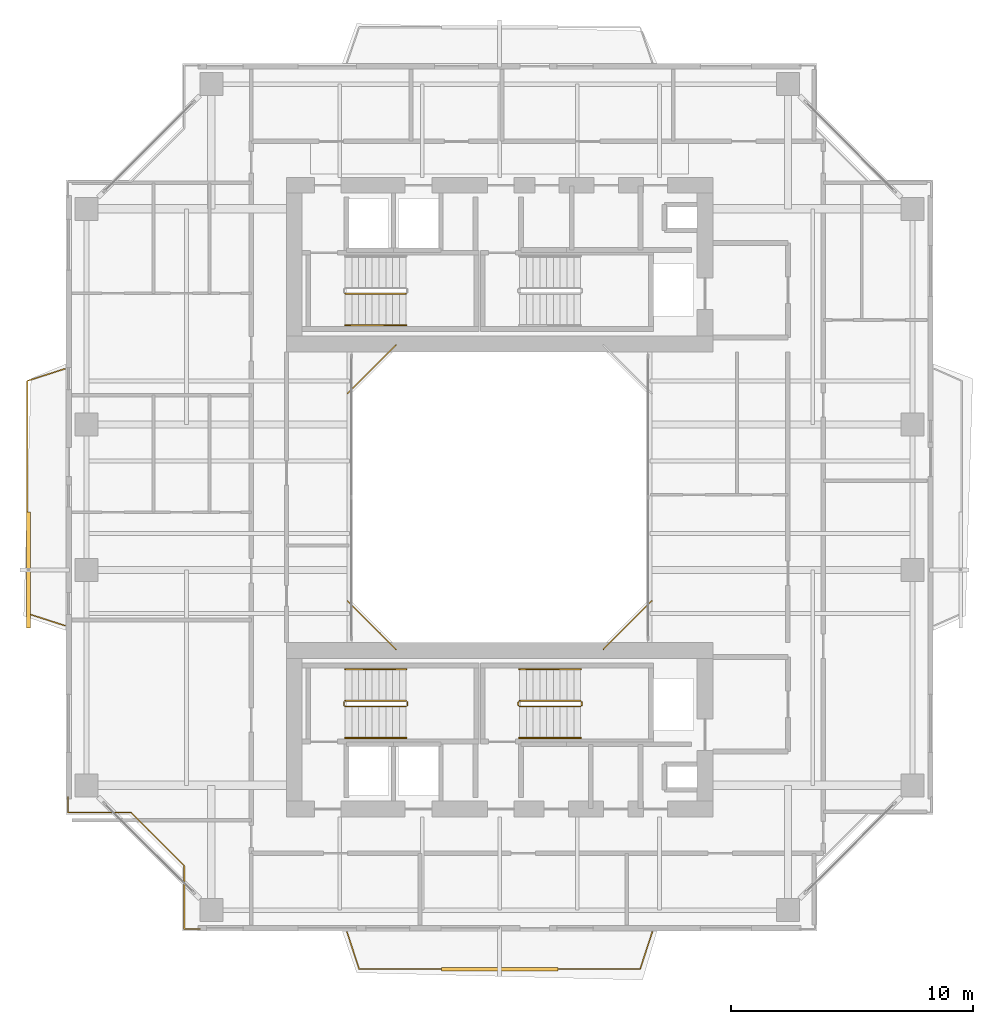
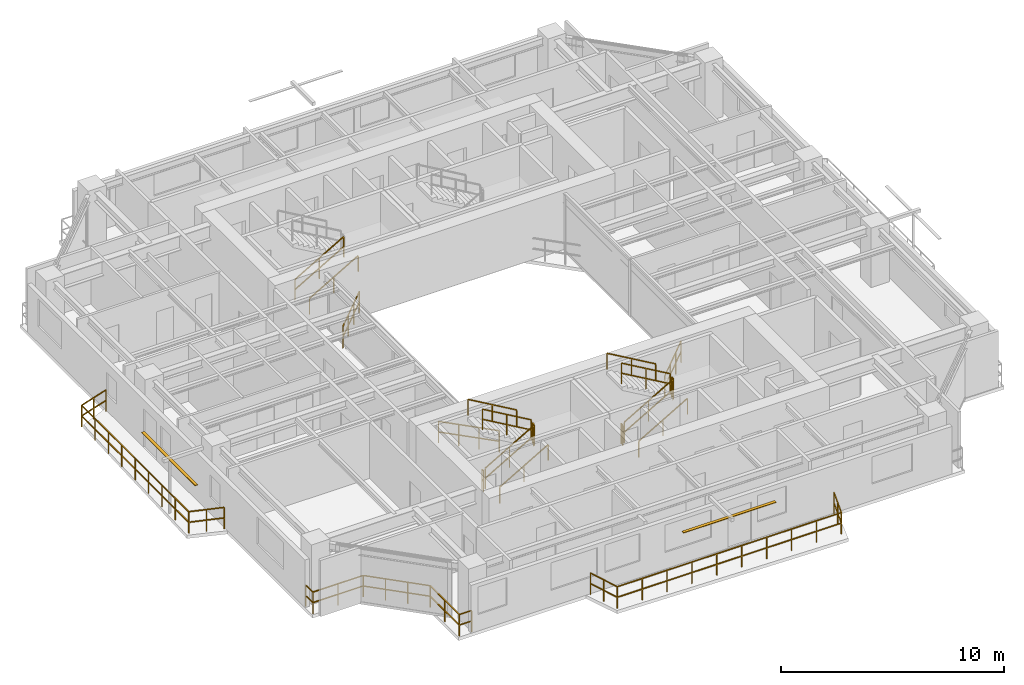
# One storey, part 15 of 17: 20 railings, 2 shading devices.
"""IFC4 building model written with IfcOpenShell, lengths in metres."""

from ifc_helpers import new_model, si_unit, direction, frame, origin, origin_2d, place, context, subcontext, project, spatial, rectangle, extrude, source, transform, mapped, material, material_profile, profile_set, type_object, element, save


model = new_model("IFC4")

# Units and contexts
model_context = context("Model", 3, precision=1e-05, world=origin(), true_north=direction((0.0, 1.0)))
body_context = subcontext(model_context, "Body", "Model", "MODEL_VIEW")
ifc_project = project(units=[si_unit("LENGTHUNIT", "METRE"), si_unit("AREAUNIT", "SQUARE_METRE"), si_unit("VOLUMEUNIT", "CUBIC_METRE"), si_unit("PLANEANGLEUNIT", "RADIAN"), si_unit("MASSUNIT", "GRAM", prefix="KILO"), si_unit("THERMODYNAMICTEMPERATUREUNIT", "KELVIN"), si_unit("POWERUNIT", "WATT")], contexts=[model_context])

# Site, building, storey
site_placement = place(None, origin())
site = spatial("IfcSite", under=ifc_project, at=site_placement, CompositionType="ELEMENT")
building_placement = place(site_placement, origin())
building = spatial("IfcBuilding", under=site, at=building_placement, Name="Qiaomeng Ring Towers", CompositionType="ELEMENT")
storey_placement = place(building_placement, frame((0.0, 0.0, 150.25)))
storey = spatial("IfcBuildingStorey", under=building, at=storey_placement, Name="L43", CompositionType="ELEMENT", Elevation=150.25)

# Railings
ifc_material_1 = material(Name="Low-E pale-green laminated safety glass", Category="glass")
railing_type_1 = type_object("IfcRailingType", Name="ARC-RL-BAL1", PredefinedType="BALUSTRADE", material=ifc_material_1)
railing_1_placement = place(storey_placement, frame((23.280029296875, 16.719970703125, 0.0)))
element("IfcRailing", 1, at=railing_1_placement, inside=storey, type_object=railing_type_1, Name="L43 Balustrade ARC-BAL-WELL1-L43-1", PredefinedType="BALUSTRADE", context=body_context, shape_type="SweptSolid", body=[
    extrude(rectangle(XDim=0.048095703125, YDim=0.048095703125, at=origin_2d()), frame((0.0, 0.0, 1.17578125), z_axis=(0.707106781187, 0.707106781187, 0.0), x_axis=(-0.707106781187, 0.707106781187, 0.0)), (0.0, 0.0, 1.0), 2.828369140625),
    extrude(rectangle(XDim=0.048095703125, YDim=0.048095703125, at=origin_2d()), frame((0.0, 0.0, 0.60009765625), z_axis=(0.707106781187, 0.707106781187, 0.0), x_axis=(-0.707106781187, 0.707106781187, 0.0)), (0.0, 0.0, 1.0), 2.828369140625),
    extrude(rectangle(XDim=0.0419921875, YDim=0.0419921875, at=origin_2d()), origin(), (0.0, 0.0, 1.0), 1.15185546875),
    extrude(rectangle(XDim=0.0419921875, YDim=0.0419921875, at=origin_2d()), frame((0.666748046875, 0.666748046875, 0.0)), (0.0, 0.0, 1.0), 1.15185546875),
    extrude(rectangle(XDim=0.0419921875, YDim=0.0419921875, at=origin_2d()), frame((1.333251953125, 1.333251953125, 0.0)), (0.0, 0.0, 1.0), 1.15185546875),
    extrude(rectangle(XDim=0.0419921875, YDim=0.0419921875, at=origin_2d()), frame((2.0, 2.0, 0.0)), (0.0, 0.0, 1.0), 1.15185546875),
])
railing_2_placement = place(storey_placement, frame((14.719970703125, 29.280029296875, 0.0)))
element("IfcRailing", 2, at=railing_2_placement, inside=storey, type_object=railing_type_1, Name="L43 Balustrade ARC-BAL-WELL1-L43-3", PredefinedType="BALUSTRADE", context=body_context, shape_type="SweptSolid", body=[
    extrude(rectangle(XDim=0.048095703125, YDim=0.048095703125, at=origin_2d()), frame((0.0, 0.0, 1.17578125), z_axis=(-0.707106781187, -0.707106781187, 0.0), x_axis=(0.707106781187, -0.707106781187, 0.0)), (0.0, 0.0, 1.0), 2.828369140625),
    extrude(rectangle(XDim=0.048095703125, YDim=0.048095703125, at=origin_2d()), frame((0.0, 0.0, 0.60009765625), z_axis=(-0.707106781187, -0.707106781187, 0.0), x_axis=(0.707106781187, -0.707106781187, 0.0)), (0.0, 0.0, 1.0), 2.828369140625),
    extrude(rectangle(XDim=0.0419921875, YDim=0.0419921875, at=origin_2d()), origin(), (0.0, 0.0, 1.0), 1.15185546875),
    extrude(rectangle(XDim=0.0419921875, YDim=0.0419921875, at=origin_2d()), frame((-0.666748046875, -0.666748046875, 0.0)), (0.0, 0.0, 1.0), 1.15185546875),
    extrude(rectangle(XDim=0.0419921875, YDim=0.0419921875, at=origin_2d()), frame((-1.333251953125, -1.333251953125, 0.0)), (0.0, 0.0, 1.0), 1.15185546875),
    extrude(rectangle(XDim=0.0419921875, YDim=0.0419921875, at=origin_2d()), frame((-2.0, -2.0, 0.0)), (0.0, 0.0, 1.0), 1.15185546875),
])
railing_3_placement = place(storey_placement, frame((12.719970703125, 18.719970703125, 0.0)))
element("IfcRailing", 3, at=railing_3_placement, inside=storey, type_object=railing_type_1, Name="L43 Balustrade ARC-BAL-WELL1-L43-4", PredefinedType="BALUSTRADE", context=body_context, shape_type="SweptSolid", body=[
    extrude(rectangle(XDim=0.048095703125, YDim=0.048095703125, at=origin_2d()), frame((0.0, 0.0, 1.17578125), z_axis=(0.707106781187, -0.707106781187, 0.0), x_axis=(0.707106781187, 0.707106781187, 0.0)), (0.0, 0.0, 1.0), 2.828369140625),
    extrude(rectangle(XDim=0.048095703125, YDim=0.048095703125, at=origin_2d()), frame((0.0, 0.0, 0.60009765625), z_axis=(0.707106781187, -0.707106781187, 0.0), x_axis=(0.707106781187, 0.707106781187, 0.0)), (0.0, 0.0, 1.0), 2.828369140625),
    extrude(rectangle(XDim=0.0419921875, YDim=0.0419921875, at=origin_2d()), origin(), (0.0, 0.0, 1.0), 1.15185546875),
    extrude(rectangle(XDim=0.0419921875, YDim=0.0419921875, at=origin_2d()), frame((0.666748046875, -0.666748046875, 0.0)), (0.0, 0.0, 1.0), 1.15185546875),
    extrude(rectangle(XDim=0.0419921875, YDim=0.0419921875, at=origin_2d()), frame((1.333251953125, -1.333251953125, 0.0)), (0.0, 0.0, 1.0), 1.15185546875),
    extrude(rectangle(XDim=0.0419921875, YDim=0.0419921875, at=origin_2d()), frame((2.0, -2.0, 0.0)), (0.0, 0.0, 1.0), 1.15185546875),
])
railing_4_placement = place(storey_placement, frame((1.179931640625, 10.6298828125, 0.0)))
element("IfcRailing", 4, at=railing_4_placement, inside=storey, type_object=railing_type_1, Name="L43 Balustrade ARC-BAL-NOTCH1-L43-SW", PredefinedType="BALUSTRADE", context=body_context, shape_type="SweptSolid", body=[
    extrude(rectangle(XDim=0.048095703125, YDim=0.048095703125, at=origin_2d()), frame((0.0, 0.0, 1.17578125), z_axis=(0.0, -1.0, 0.0), x_axis=(1.0, 0.0, 0.0)), (0.0, 0.0, 1.0), 0.64990234375),
    extrude(rectangle(XDim=0.048095703125, YDim=0.048095703125, at=origin_2d()), frame((0.0, 0.0, 0.60009765625), z_axis=(0.0, -1.0, 0.0), x_axis=(1.0, 0.0, 0.0)), (0.0, 0.0, 1.0), 0.64990234375),
    extrude(rectangle(XDim=0.048095703125, YDim=0.048095703125, at=origin_2d()), frame((0.0, -0.64990234375, 1.17578125), z_axis=(1.0, 0.0, 0.0), x_axis=(0.0, 1.0, 0.0)), (0.0, 0.0, 1.0), 2.60009765625),
    extrude(rectangle(XDim=0.048095703125, YDim=0.048095703125, at=origin_2d()), frame((0.0, -0.64990234375, 0.60009765625), z_axis=(1.0, 0.0, 0.0), x_axis=(0.0, 1.0, 0.0)), (0.0, 0.0, 1.0), 2.60009765625),
    extrude(rectangle(XDim=0.048095703125, YDim=0.048095703125, at=origin_2d()), frame((2.60009765625, -0.64990234375, 1.17578125), z_axis=(0.707106781187, -0.707106781187, 0.0), x_axis=(0.707106781187, 0.707106781187, 0.0)), (0.0, 0.0, 1.0), 3.111083984375),
    extrude(rectangle(XDim=0.048095703125, YDim=0.048095703125, at=origin_2d()), frame((2.60009765625, -0.64990234375, 0.60009765625), z_axis=(0.707106781187, -0.707106781187, 0.0), x_axis=(0.707106781187, 0.707106781187, 0.0)), (0.0, 0.0, 1.0), 3.111083984375),
    extrude(rectangle(XDim=0.048095703125, YDim=0.048095703125, at=origin_2d()), frame((4.800048828125, -2.849853515625, 1.17578125), z_axis=(0.0, -1.0, 0.0), x_axis=(1.0, 0.0, 0.0)), (0.0, 0.0, 1.0), 2.60009765625),
    extrude(rectangle(XDim=0.048095703125, YDim=0.048095703125, at=origin_2d()), frame((4.800048828125, -2.849853515625, 0.60009765625), z_axis=(0.0, -1.0, 0.0), x_axis=(1.0, 0.0, 0.0)), (0.0, 0.0, 1.0), 2.60009765625),
    extrude(rectangle(XDim=0.048095703125, YDim=0.048095703125, at=origin_2d()), frame((4.800048828125, -5.449951171875, 1.17578125), z_axis=(1.0, 0.0, 0.0), x_axis=(0.0, 1.0, 0.0)), (0.0, 0.0, 1.0), 0.64990234375),
    extrude(rectangle(XDim=0.048095703125, YDim=0.048095703125, at=origin_2d()), frame((4.800048828125, -5.449951171875, 0.60009765625), z_axis=(1.0, 0.0, 0.0), x_axis=(0.0, 1.0, 0.0)), (0.0, 0.0, 1.0), 0.64990234375),
    extrude(rectangle(XDim=0.0419921875, YDim=0.0419921875, at=origin_2d()), origin(), (0.0, 0.0, 1.0), 1.15185546875),
    extrude(rectangle(XDim=0.0419921875, YDim=0.0419921875, at=origin_2d()), frame((0.0, -0.64990234375, 0.0)), (0.0, 0.0, 1.0), 1.15185546875),
    extrude(rectangle(XDim=0.0419921875, YDim=0.0419921875, at=origin_2d()), frame((1.300048828125, -0.64990234375, 0.0)), (0.0, 0.0, 1.0), 1.15185546875),
    extrude(rectangle(XDim=0.0419921875, YDim=0.0419921875, at=origin_2d()), frame((2.60009765625, -0.64990234375, 0.0)), (0.0, 0.0, 1.0), 1.15185546875),
    extrude(rectangle(XDim=0.0419921875, YDim=0.0419921875, at=origin_2d()), frame((3.33349609375, -1.38330078125, 0.0)), (0.0, 0.0, 1.0), 1.15185546875),
    extrude(rectangle(XDim=0.0419921875, YDim=0.0419921875, at=origin_2d()), frame((4.066650390625, -2.116455078125, 0.0)), (0.0, 0.0, 1.0), 1.15185546875),
    extrude(rectangle(XDim=0.0419921875, YDim=0.0419921875, at=origin_2d()), frame((4.800048828125, -2.849853515625, 0.0)), (0.0, 0.0, 1.0), 1.15185546875),
    extrude(rectangle(XDim=0.0419921875, YDim=0.0419921875, at=origin_2d()), frame((4.800048828125, -4.14990234375, 0.0)), (0.0, 0.0, 1.0), 1.15185546875),
    extrude(rectangle(XDim=0.0419921875, YDim=0.0419921875, at=origin_2d()), frame((4.800048828125, -5.449951171875, 0.0)), (0.0, 0.0, 1.0), 1.15185546875),
    extrude(rectangle(XDim=0.0419921875, YDim=0.0419921875, at=origin_2d()), frame((5.449951171875, -5.449951171875, 0.0)), (0.0, 0.0, 1.0), 1.15185546875),
])
railing_5_placement = place(storey_placement, frame((12.699951171875, 5.050048828125, 0.0)))
element("IfcRailing", 5, at=railing_5_placement, inside=storey, type_object=railing_type_1, Name="L43 Balustrade ARC-BAL-L43-T1-S", PredefinedType="BALUSTRADE", context=body_context, shape_type="SweptSolid", body=[
    extrude(rectangle(XDim=0.048095703125, YDim=0.048095703125, at=origin_2d()), frame((0.0, 0.0, 1.17578125), z_axis=(0.310625543041, -0.950532362421, 0.0), x_axis=(0.950532362421, 0.310625543041, 0.0)), (0.0, 0.0, 1.0), 1.609619140625),
    extrude(rectangle(XDim=0.048095703125, YDim=0.048095703125, at=origin_2d()), frame((0.0, 0.0, 0.60009765625), z_axis=(0.310625543041, -0.950532362421, 0.0), x_axis=(0.950532362421, 0.310625543041, 0.0)), (0.0, 0.0, 1.0), 1.609619140625),
    extrude(rectangle(XDim=0.048095703125, YDim=0.048095703125, at=origin_2d()), frame((0.5, -1.530029296875, 1.17578125), z_axis=(1.0, 0.0, 0.0), x_axis=(0.0, 1.0, 0.0)), (0.0, 0.0, 1.0), 11.60009765625),
    extrude(rectangle(XDim=0.048095703125, YDim=0.048095703125, at=origin_2d()), frame((0.5, -1.530029296875, 0.60009765625), z_axis=(1.0, 0.0, 0.0), x_axis=(0.0, 1.0, 0.0)), (0.0, 0.0, 1.0), 11.60009765625),
    extrude(rectangle(XDim=0.048095703125, YDim=0.048095703125, at=origin_2d()), frame((12.10009765625, -1.530029296875, 1.17578125), z_axis=(0.310625543041, 0.950532362421, 0.0), x_axis=(-0.950532362421, 0.310625543041, 0.0)), (0.0, 0.0, 1.0), 1.609619140625),
    extrude(rectangle(XDim=0.048095703125, YDim=0.048095703125, at=origin_2d()), frame((12.10009765625, -1.530029296875, 0.60009765625), z_axis=(0.310625543041, 0.950532362421, 0.0), x_axis=(-0.950532362421, 0.310625543041, 0.0)), (0.0, 0.0, 1.0), 1.609619140625),
    extrude(rectangle(XDim=0.0419921875, YDim=0.0419921875, at=origin_2d()), origin(), (0.0, 0.0, 1.0), 1.15185546875),
    extrude(rectangle(XDim=0.0419921875, YDim=0.0419921875, at=origin_2d()), frame((0.25, -0.76513671875, 0.0)), (0.0, 0.0, 1.0), 1.15185546875),
    extrude(rectangle(XDim=0.0419921875, YDim=0.0419921875, at=origin_2d()), frame((0.5, -1.530029296875, 0.0)), (0.0, 0.0, 1.0), 1.15185546875),
    extrude(rectangle(XDim=0.0419921875, YDim=0.0419921875, at=origin_2d()), frame((1.788818359375, -1.530029296875, 0.0)), (0.0, 0.0, 1.0), 1.15185546875),
    extrude(rectangle(XDim=0.0419921875, YDim=0.0419921875, at=origin_2d()), frame((3.077880859375, -1.530029296875, 0.0)), (0.0, 0.0, 1.0), 1.15185546875),
    extrude(rectangle(XDim=0.0419921875, YDim=0.0419921875, at=origin_2d()), frame((4.36669921875, -1.530029296875, 0.0)), (0.0, 0.0, 1.0), 1.15185546875),
    extrude(rectangle(XDim=0.0419921875, YDim=0.0419921875, at=origin_2d()), frame((5.655517578125, -1.530029296875, 0.0)), (0.0, 0.0, 1.0), 1.15185546875),
    extrude(rectangle(XDim=0.0419921875, YDim=0.0419921875, at=origin_2d()), frame((6.944580078125, -1.530029296875, 0.0)), (0.0, 0.0, 1.0), 1.15185546875),
    extrude(rectangle(XDim=0.0419921875, YDim=0.0419921875, at=origin_2d()), frame((8.2333984375, -1.530029296875, 0.0)), (0.0, 0.0, 1.0), 1.15185546875),
    extrude(rectangle(XDim=0.0419921875, YDim=0.0419921875, at=origin_2d()), frame((9.522216796875, -1.530029296875, 0.0)), (0.0, 0.0, 1.0), 1.15185546875),
    extrude(rectangle(XDim=0.0419921875, YDim=0.0419921875, at=origin_2d()), frame((10.811279296875, -1.530029296875, 0.0)), (0.0, 0.0, 1.0), 1.15185546875),
    extrude(rectangle(XDim=0.0419921875, YDim=0.0419921875, at=origin_2d()), frame((12.10009765625, -1.530029296875, 0.0)), (0.0, 0.0, 1.0), 1.15185546875),
    extrude(rectangle(XDim=0.0419921875, YDim=0.0419921875, at=origin_2d()), frame((12.35009765625, -0.76513671875, 0.0)), (0.0, 0.0, 1.0), 1.15185546875),
    extrude(rectangle(XDim=0.0419921875, YDim=0.0419921875, at=origin_2d()), frame((12.60009765625, 0.0, 0.0)), (0.0, 0.0, 1.0), 1.15185546875),
])
railing_6_placement = place(storey_placement, frame((1.050048828125, 17.699951171875, 0.0)))
element("IfcRailing", 6, at=railing_6_placement, inside=storey, type_object=railing_type_1, Name="L43 Balustrade ARC-BAL-L43-T1-W", PredefinedType="BALUSTRADE", context=body_context, shape_type="SweptSolid", body=[
    extrude(rectangle(XDim=0.048095703125, YDim=0.048095703125, at=origin_2d()), frame((0.0, 0.0, 1.17578125), z_axis=(-0.951711443346, 0.306994020471, 0.0), x_axis=(-0.306994020471, -0.951711443346, 0.0)), (0.0, 0.0, 1.0), 1.628662109375),
    extrude(rectangle(XDim=0.048095703125, YDim=0.048095703125, at=origin_2d()), frame((0.0, 0.0, 0.60009765625), z_axis=(-0.951711443346, 0.306994020471, 0.0), x_axis=(-0.306994020471, -0.951711443346, 0.0)), (0.0, 0.0, 1.0), 1.628662109375),
    extrude(rectangle(XDim=0.048095703125, YDim=0.048095703125, at=origin_2d()), frame((-1.550048828125, 0.5, 1.17578125), z_axis=(0.0, 1.0, 0.0), x_axis=(-1.0, 0.0, 0.0)), (0.0, 0.0, 1.0), 9.60009765625),
    extrude(rectangle(XDim=0.048095703125, YDim=0.048095703125, at=origin_2d()), frame((-1.550048828125, 0.5, 0.60009765625), z_axis=(0.0, 1.0, 0.0), x_axis=(-1.0, 0.0, 0.0)), (0.0, 0.0, 1.0), 9.60009765625),
    extrude(rectangle(XDim=0.048095703125, YDim=0.048095703125, at=origin_2d()), frame((-1.550048828125, 10.10009765625, 1.17578125), z_axis=(0.951711443346, 0.306994020471, 0.0), x_axis=(-0.306994020471, 0.951711443346, 0.0)), (0.0, 0.0, 1.0), 1.628662109375),
    extrude(rectangle(XDim=0.048095703125, YDim=0.048095703125, at=origin_2d()), frame((-1.550048828125, 10.10009765625, 0.60009765625), z_axis=(0.951711443346, 0.306994020471, 0.0), x_axis=(-0.306994020471, 0.951711443346, 0.0)), (0.0, 0.0, 1.0), 1.628662109375),
    extrude(rectangle(XDim=0.0419921875, YDim=0.0419921875, at=origin_2d()), origin(), (0.0, 0.0, 1.0), 1.15185546875),
    extrude(rectangle(XDim=0.0419921875, YDim=0.0419921875, at=origin_2d()), frame((-0.77490234375, 0.25, 0.0)), (0.0, 0.0, 1.0), 1.15185546875),
    extrude(rectangle(XDim=0.0419921875, YDim=0.0419921875, at=origin_2d()), frame((-1.550048828125, 0.5, 0.0)), (0.0, 0.0, 1.0), 1.15185546875),
    extrude(rectangle(XDim=0.0419921875, YDim=0.0419921875, at=origin_2d()), frame((-1.550048828125, 1.699951171875, 0.0)), (0.0, 0.0, 1.0), 1.15185546875),
    extrude(rectangle(XDim=0.0419921875, YDim=0.0419921875, at=origin_2d()), frame((-1.550048828125, 2.89990234375, 0.0)), (0.0, 0.0, 1.0), 1.15185546875),
    extrude(rectangle(XDim=0.0419921875, YDim=0.0419921875, at=origin_2d()), frame((-1.550048828125, 4.10009765625, 0.0)), (0.0, 0.0, 1.0), 1.15185546875),
    extrude(rectangle(XDim=0.0419921875, YDim=0.0419921875, at=origin_2d()), frame((-1.550048828125, 5.300048828125, 0.0)), (0.0, 0.0, 1.0), 1.15185546875),
    extrude(rectangle(XDim=0.0419921875, YDim=0.0419921875, at=origin_2d()), frame((-1.550048828125, 6.5, 0.0)), (0.0, 0.0, 1.0), 1.15185546875),
    extrude(rectangle(XDim=0.0419921875, YDim=0.0419921875, at=origin_2d()), frame((-1.550048828125, 7.7001953125, 0.0)), (0.0, 0.0, 1.0), 1.15185546875),
    extrude(rectangle(XDim=0.0419921875, YDim=0.0419921875, at=origin_2d()), frame((-1.550048828125, 8.900146484375, 0.0)), (0.0, 0.0, 1.0), 1.15185546875),
    extrude(rectangle(XDim=0.0419921875, YDim=0.0419921875, at=origin_2d()), frame((-1.550048828125, 10.10009765625, 0.0)), (0.0, 0.0, 1.0), 1.15185546875),
    extrude(rectangle(XDim=0.0419921875, YDim=0.0419921875, at=origin_2d()), frame((-0.77490234375, 10.35009765625, 0.0)), (0.0, 0.0, 1.0), 1.15185546875),
    extrude(rectangle(XDim=0.0419921875, YDim=0.0419921875, at=origin_2d()), frame((0.0, 10.60009765625, 0.0)), (0.0, 0.0, 1.0), 1.15185546875),
])
ifc_material_2 = material(Name="Galvanised steel", Category="steel")
railing_type_2 = type_object("IfcRailingType", Name="ARC-RL-GUARD", PredefinedType="GUARDRAIL", material=ifc_material_2)
for number, where, name in (
    (7, (12.6201171875, 31.39990234375, 0.16259765625), "L43 ST1 stair guard 1"),
    (8, (12.6201171875, 14.360107421875, 0.16259765625), "L43 ST3 stair guard 1"),
):
    element("IfcRailing", number, at=place(storey_placement, frame(where)), inside=storey, type_object=railing_type_2, Name=name, PredefinedType="GUARDRAIL", context=body_context, shape_type="SweptSolid", body=[
        extrude(rectangle(XDim=0.048095703125, YDim=0.048095703125, at=origin_2d()), frame((0.0, 0.0, 1.1259765625), z_axis=(0.864892226395, 0.0, 0.501957604506), x_axis=(0.0, 1.0, 0.0)), (0.0, 0.0, 1.0), 2.913330078125),
        extrude(rectangle(XDim=0.048095703125, YDim=0.048095703125, at=origin_2d()), frame((0.0, 0.0, 0.574951171875), z_axis=(0.864892226395, 0.0, 0.501957604506), x_axis=(0.0, 1.0, 0.0)), (0.0, 0.0, 1.0), 2.913330078125),
        extrude(rectangle(XDim=0.0419921875, YDim=0.0419921875, at=origin_2d()), origin(), (0.0, 0.0, 1.0), 1.101806640625),
        extrude(rectangle(XDim=0.0419921875, YDim=0.0419921875, at=origin_2d()), frame((1.259765625, 0.0, 0.731201171875)), (0.0, 0.0, 1.0), 1.101806640625),
        extrude(rectangle(XDim=0.0419921875, YDim=0.0419921875, at=origin_2d()), frame((2.519775390625, 0.0, 1.46240234375)), (0.0, 0.0, 1.0), 1.101806640625),
    ])
railing_7_placement = place(storey_placement, frame((15.18994140625, 14.409912109375, 1.625)))
element("IfcRailing", 9, at=railing_7_placement, inside=storey, type_object=railing_type_2, Name="L43 ST3 stair guard 2", PredefinedType="GUARDRAIL", context=body_context, shape_type="SweptSolid", body=[
    extrude(rectangle(XDim=0.048095703125, YDim=0.048095703125, at=origin_2d()), frame((0.0, 0.0, 1.1259765625), z_axis=(0.0, 1.0, 0.0), x_axis=(-1.0, 0.0, 0.0)), (0.0, 0.0, 1.0), 0.14013671875),
    extrude(rectangle(XDim=0.048095703125, YDim=0.048095703125, at=origin_2d()), frame((0.0, 0.0, 0.574951171875), z_axis=(0.0, 1.0, 0.0), x_axis=(-1.0, 0.0, 0.0)), (0.0, 0.0, 1.0), 0.14013671875),
    extrude(rectangle(XDim=0.0419921875, YDim=0.0419921875, at=origin_2d()), origin(), (0.0, 0.0, 1.0), 1.101806640625),
    extrude(rectangle(XDim=0.0419921875, YDim=0.0419921875, at=origin_2d()), frame((0.0, 0.14013671875, 0.0)), (0.0, 0.0, 1.0), 1.101806640625),
])
railing_8_placement = place(storey_placement, frame((15.139892578125, 14.60009765625, 1.78759765625)))
element("IfcRailing", 10, at=railing_8_placement, inside=storey, type_object=railing_type_2, Name="L43 ST3 stair guard 3", PredefinedType="GUARDRAIL", context=body_context, shape_type="SweptSolid", body=[
    extrude(rectangle(XDim=0.048095703125, YDim=0.048095703125, at=origin_2d()), frame((0.0, 0.0, 1.1259765625), z_axis=(-0.864892226395, 0.0, 0.501957604506), x_axis=(0.0, -1.0, 0.0)), (0.0, 0.0, 1.0), 2.913330078125),
    extrude(rectangle(XDim=0.048095703125, YDim=0.048095703125, at=origin_2d()), frame((0.0, 0.0, 0.574951171875), z_axis=(-0.864892226395, 0.0, 0.501957604506), x_axis=(0.0, -1.0, 0.0)), (0.0, 0.0, 1.0), 2.913330078125),
    extrude(rectangle(XDim=0.0419921875, YDim=0.0419921875, at=origin_2d()), origin(), (0.0, 0.0, 1.0), 1.101806640625),
    extrude(rectangle(XDim=0.0419921875, YDim=0.0419921875, at=origin_2d()), frame((-1.259765625, 0.0, 0.731201171875)), (0.0, 0.0, 1.0), 1.101806640625),
    extrude(rectangle(XDim=0.0419921875, YDim=0.0419921875, at=origin_2d()), frame((-2.519775390625, 0.0, 1.46240234375)), (0.0, 0.0, 1.0), 1.101806640625),
])
railing_9_placement = place(storey_placement, frame((12.570068359375, 14.409912109375, 0.0)))
element("IfcRailing", 11, at=railing_9_placement, inside=storey, type_object=railing_type_2, Name="L43 ST3 stair guard 4", PredefinedType="GUARDRAIL", context=body_context, shape_type="SweptSolid", body=[
    extrude(rectangle(XDim=0.048095703125, YDim=0.048095703125, at=origin_2d()), frame((0.0, 0.0, 1.1259765625), z_axis=(0.0, 1.0, 0.0), x_axis=(-1.0, 0.0, 0.0)), (0.0, 0.0, 1.0), 0.14013671875),
    extrude(rectangle(XDim=0.048095703125, YDim=0.048095703125, at=origin_2d()), frame((0.0, 0.0, 0.574951171875), z_axis=(0.0, 1.0, 0.0), x_axis=(-1.0, 0.0, 0.0)), (0.0, 0.0, 1.0), 0.14013671875),
    extrude(rectangle(XDim=0.0419921875, YDim=0.0419921875, at=origin_2d()), origin(), (0.0, 0.0, 1.0), 1.101806640625),
    extrude(rectangle(XDim=0.0419921875, YDim=0.0419921875, at=origin_2d()), frame((0.0, 0.14013671875, 0.0)), (0.0, 0.0, 1.0), 1.101806640625),
])
railing_10_placement = place(storey_placement, frame((19.820068359375, 14.360107421875, 0.16259765625)))
element("IfcRailing", 12, at=railing_10_placement, inside=storey, type_object=railing_type_2, Name="L43 ST4 stair guard 1", PredefinedType="GUARDRAIL", context=body_context, shape_type="SweptSolid", body=[
    extrude(rectangle(XDim=0.048095703125, YDim=0.048095703125, at=origin_2d()), frame((0.0, 0.0, 1.1259765625), z_axis=(0.864913338283, 0.0, 0.50192122615), x_axis=(0.0, 1.0, 0.0)), (0.0, 0.0, 1.0), 2.91357421875),
    extrude(rectangle(XDim=0.048095703125, YDim=0.048095703125, at=origin_2d()), frame((0.0, 0.0, 0.574951171875), z_axis=(0.864913338283, 0.0, 0.50192122615), x_axis=(0.0, 1.0, 0.0)), (0.0, 0.0, 1.0), 2.91357421875),
    extrude(rectangle(XDim=0.0419921875, YDim=0.0419921875, at=origin_2d()), origin(), (0.0, 0.0, 1.0), 1.101806640625),
    extrude(rectangle(XDim=0.0419921875, YDim=0.0419921875, at=origin_2d()), frame((1.260009765625, 0.0, 0.731201171875)), (0.0, 0.0, 1.0), 1.101806640625),
    extrude(rectangle(XDim=0.0419921875, YDim=0.0419921875, at=origin_2d()), frame((2.52001953125, 0.0, 1.46240234375)), (0.0, 0.0, 1.0), 1.101806640625),
])
railing_11_placement = place(storey_placement, frame((22.389892578125, 14.409912109375, 1.625)))
element("IfcRailing", 13, at=railing_11_placement, inside=storey, type_object=railing_type_2, Name="L43 ST4 stair guard 2", PredefinedType="GUARDRAIL", context=body_context, shape_type="SweptSolid", body=[
    extrude(rectangle(XDim=0.048095703125, YDim=0.048095703125, at=origin_2d()), frame((0.0, 0.0, 1.1259765625), z_axis=(0.0, 1.0, 0.0), x_axis=(-1.0, 0.0, 0.0)), (0.0, 0.0, 1.0), 0.14013671875),
    extrude(rectangle(XDim=0.048095703125, YDim=0.048095703125, at=origin_2d()), frame((0.0, 0.0, 0.574951171875), z_axis=(0.0, 1.0, 0.0), x_axis=(-1.0, 0.0, 0.0)), (0.0, 0.0, 1.0), 0.14013671875),
    extrude(rectangle(XDim=0.0419921875, YDim=0.0419921875, at=origin_2d()), origin(), (0.0, 0.0, 1.0), 1.101806640625),
    extrude(rectangle(XDim=0.0419921875, YDim=0.0419921875, at=origin_2d()), frame((0.0, 0.14013671875, 0.0)), (0.0, 0.0, 1.0), 1.101806640625),
])
railing_12_placement = place(storey_placement, frame((22.340087890625, 14.60009765625, 1.78759765625)))
element("IfcRailing", 14, at=railing_12_placement, inside=storey, type_object=railing_type_2, Name="L43 ST4 stair guard 3", PredefinedType="GUARDRAIL", context=body_context, shape_type="SweptSolid", body=[
    extrude(rectangle(XDim=0.048095703125, YDim=0.048095703125, at=origin_2d()), frame((0.0, 0.0, 1.1259765625), z_axis=(-0.864913338283, 0.0, 0.50192122615), x_axis=(0.0, -1.0, 0.0)), (0.0, 0.0, 1.0), 2.91357421875),
    extrude(rectangle(XDim=0.048095703125, YDim=0.048095703125, at=origin_2d()), frame((0.0, 0.0, 0.574951171875), z_axis=(-0.864913338283, 0.0, 0.50192122615), x_axis=(0.0, -1.0, 0.0)), (0.0, 0.0, 1.0), 2.91357421875),
    extrude(rectangle(XDim=0.0419921875, YDim=0.0419921875, at=origin_2d()), origin(), (0.0, 0.0, 1.0), 1.101806640625),
    extrude(rectangle(XDim=0.0419921875, YDim=0.0419921875, at=origin_2d()), frame((-1.260009765625, 0.0, 0.731201171875)), (0.0, 0.0, 1.0), 1.101806640625),
    extrude(rectangle(XDim=0.0419921875, YDim=0.0419921875, at=origin_2d()), frame((-2.52001953125, 0.0, 1.46240234375)), (0.0, 0.0, 1.0), 1.101806640625),
])
railing_13_placement = place(storey_placement, frame((19.77001953125, 14.409912109375, 0.0)))
element("IfcRailing", 15, at=railing_13_placement, inside=storey, type_object=railing_type_2, Name="L43 ST4 stair guard 4", PredefinedType="GUARDRAIL", context=body_context, shape_type="SweptSolid", body=[
    extrude(rectangle(XDim=0.048095703125, YDim=0.048095703125, at=origin_2d()), frame((0.0, 0.0, 1.1259765625), z_axis=(0.0, 1.0, 0.0), x_axis=(-1.0, 0.0, 0.0)), (0.0, 0.0, 1.0), 0.14013671875),
    extrude(rectangle(XDim=0.048095703125, YDim=0.048095703125, at=origin_2d()), frame((0.0, 0.0, 0.574951171875), z_axis=(0.0, 1.0, 0.0), x_axis=(-1.0, 0.0, 0.0)), (0.0, 0.0, 1.0), 0.14013671875),
    extrude(rectangle(XDim=0.0419921875, YDim=0.0419921875, at=origin_2d()), origin(), (0.0, 0.0, 1.0), 1.101806640625),
    extrude(rectangle(XDim=0.0419921875, YDim=0.0419921875, at=origin_2d()), frame((0.0, 0.14013671875, 0.0)), (0.0, 0.0, 1.0), 1.101806640625),
])
ifc_material_3 = material(Name="Stainless steel 316", Category="steel")
railing_type_3 = type_object("IfcRailingType", Name="ARC-RL-HAND", PredefinedType="HANDRAIL", material=ifc_material_3)
for number, where, name in (
    (16, (12.6201171875, 30.10009765625, 0.16259765625), "L43 ST1 stair handrail 1"),
    (17, (12.6201171875, 13.06005859375, 0.16259765625), "L43 ST3 stair handrail 1"),
):
    element("IfcRailing", number, at=place(storey_placement, frame(where)), inside=storey, type_object=railing_type_3, Name=name, PredefinedType="HANDRAIL", context=body_context, shape_type="SweptSolid", body=[
        extrude(rectangle(XDim=0.048095703125, YDim=0.048095703125, at=origin_2d()), frame((0.0, 0.0, 0.8759765625), z_axis=(0.864892226395, 0.0, 0.501957604506), x_axis=(0.0, 1.0, 0.0)), (0.0, 0.0, 1.0), 2.913330078125),
        extrude(rectangle(XDim=0.0419921875, YDim=0.0419921875, at=origin_2d()), origin(), (0.0, 0.0, 1.0), 0.851806640625),
        extrude(rectangle(XDim=0.0419921875, YDim=0.0419921875, at=origin_2d()), frame((1.259765625, 0.0, 0.731201171875)), (0.0, 0.0, 1.0), 0.851806640625),
        extrude(rectangle(XDim=0.0419921875, YDim=0.0419921875, at=origin_2d()), frame((2.519775390625, 0.0, 1.46240234375)), (0.0, 0.0, 1.0), 0.851806640625),
    ])
railing_14_placement = place(storey_placement, frame((15.139892578125, 15.89990234375, 1.78759765625)))
element("IfcRailing", 18, at=railing_14_placement, inside=storey, type_object=railing_type_3, Name="L43 ST3 stair handrail 2", PredefinedType="HANDRAIL", context=body_context, shape_type="SweptSolid", body=[
    extrude(rectangle(XDim=0.048095703125, YDim=0.048095703125, at=origin_2d()), frame((0.0, 0.0, 0.8759765625), z_axis=(-0.864892226395, 0.0, 0.501957604506), x_axis=(0.0, -1.0, 0.0)), (0.0, 0.0, 1.0), 2.913330078125),
    extrude(rectangle(XDim=0.0419921875, YDim=0.0419921875, at=origin_2d()), origin(), (0.0, 0.0, 1.0), 0.851806640625),
    extrude(rectangle(XDim=0.0419921875, YDim=0.0419921875, at=origin_2d()), frame((-1.259765625, 0.0, 0.731201171875)), (0.0, 0.0, 1.0), 0.851806640625),
    extrude(rectangle(XDim=0.0419921875, YDim=0.0419921875, at=origin_2d()), frame((-2.519775390625, 0.0, 1.46240234375)), (0.0, 0.0, 1.0), 0.851806640625),
])
railing_15_placement = place(storey_placement, frame((19.820068359375, 13.06005859375, 0.16259765625)))
element("IfcRailing", 19, at=railing_15_placement, inside=storey, type_object=railing_type_3, Name="L43 ST4 stair handrail 1", PredefinedType="HANDRAIL", context=body_context, shape_type="SweptSolid", body=[
    extrude(rectangle(XDim=0.048095703125, YDim=0.048095703125, at=origin_2d()), frame((0.0, 0.0, 0.8759765625), z_axis=(0.864913338283, 0.0, 0.50192122615), x_axis=(0.0, 1.0, 0.0)), (0.0, 0.0, 1.0), 2.91357421875),
    extrude(rectangle(XDim=0.0419921875, YDim=0.0419921875, at=origin_2d()), origin(), (0.0, 0.0, 1.0), 0.851806640625),
    extrude(rectangle(XDim=0.0419921875, YDim=0.0419921875, at=origin_2d()), frame((1.260009765625, 0.0, 0.731201171875)), (0.0, 0.0, 1.0), 0.851806640625),
    extrude(rectangle(XDim=0.0419921875, YDim=0.0419921875, at=origin_2d()), frame((2.52001953125, 0.0, 1.46240234375)), (0.0, 0.0, 1.0), 0.851806640625),
])
railing_16_placement = place(storey_placement, frame((22.340087890625, 15.89990234375, 1.78759765625)))
element("IfcRailing", 20, at=railing_16_placement, inside=storey, type_object=railing_type_3, Name="L43 ST4 stair handrail 2", PredefinedType="HANDRAIL", context=body_context, shape_type="SweptSolid", body=[
    extrude(rectangle(XDim=0.048095703125, YDim=0.048095703125, at=origin_2d()), frame((0.0, 0.0, 0.8759765625), z_axis=(-0.864913338283, 0.0, 0.50192122615), x_axis=(0.0, -1.0, 0.0)), (0.0, 0.0, 1.0), 2.91357421875),
    extrude(rectangle(XDim=0.0419921875, YDim=0.0419921875, at=origin_2d()), origin(), (0.0, 0.0, 1.0), 0.851806640625),
    extrude(rectangle(XDim=0.0419921875, YDim=0.0419921875, at=origin_2d()), frame((-1.260009765625, 0.0, 0.731201171875)), (0.0, 0.0, 1.0), 0.851806640625),
    extrude(rectangle(XDim=0.0419921875, YDim=0.0419921875, at=origin_2d()), frame((-2.52001953125, 0.0, 1.46240234375)), (0.0, 0.0, 1.0), 0.851806640625),
])

# Shading devices
ifc_material_4 = material(Name="Fluorocarbon dark-grey aluminium", Category="aluminium")
ifc_material_profile = material_profile(ifc_material_4, rectangle(XDim=0.14990234375, YDim=0.034912109375, at=origin_2d()), Name="LV BLADE 150x35")
ifc_profile_set = profile_set([ifc_material_profile], Name="Fluorocarbon dark-grey aluminium")
shading_device_type = type_object("IfcShadingDeviceType", Name="ARC-SHD-SUN", PredefinedType="AWNING", material=ifc_profile_set)
shared_shape = source(origin(), body_context, "Body", "SweptSolid", [
    extrude(rectangle(XDim=0.14990234375, YDim=0.034912109375, at=origin_2d()), origin(), (0.0, 0.0, 1.0), 4.7998046875),
])
for number, where, z_axis, x_axis, name in (
    (21, (16.60009765625, 3.52001953125, 2.969970703125), (1.0, 0.0, 0.0), (0.0, 1.0, 0.0), "L43 Ventilated Outer-Skin Sunshade S"),
    (22, (-0.449951171875, 17.60009765625, 2.969970703125), (0.0, 1.0, 0.0), (-1.0, 0.0, 0.0), "L43 Ventilated Outer-Skin Sunshade W"),
):
    element("IfcShadingDevice", number, at=place(storey_placement, frame(where, z_axis=z_axis, x_axis=x_axis)), inside=storey, type_object=shading_device_type, Name=name, PredefinedType="AWNING", context=body_context, shape_type="MappedRepresentation", body=[
        mapped(shared_shape, transform((0.0, 0.0, 0.0), x_axis=(1.0, 0.0, 0.0), y_axis=(0.0, 1.0, 0.0), z_axis=(0.0, 0.0, 1.0), scale=1.0)),
    ])

save(model, "model.ifc")
